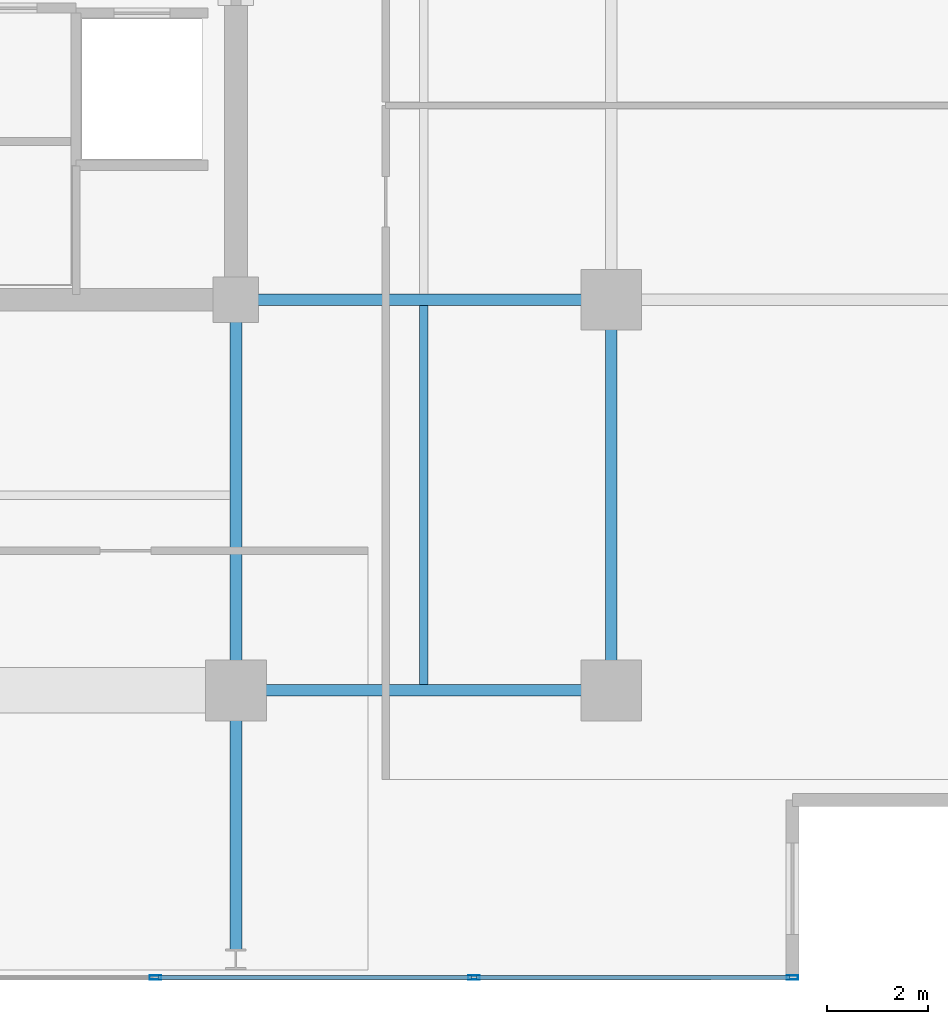
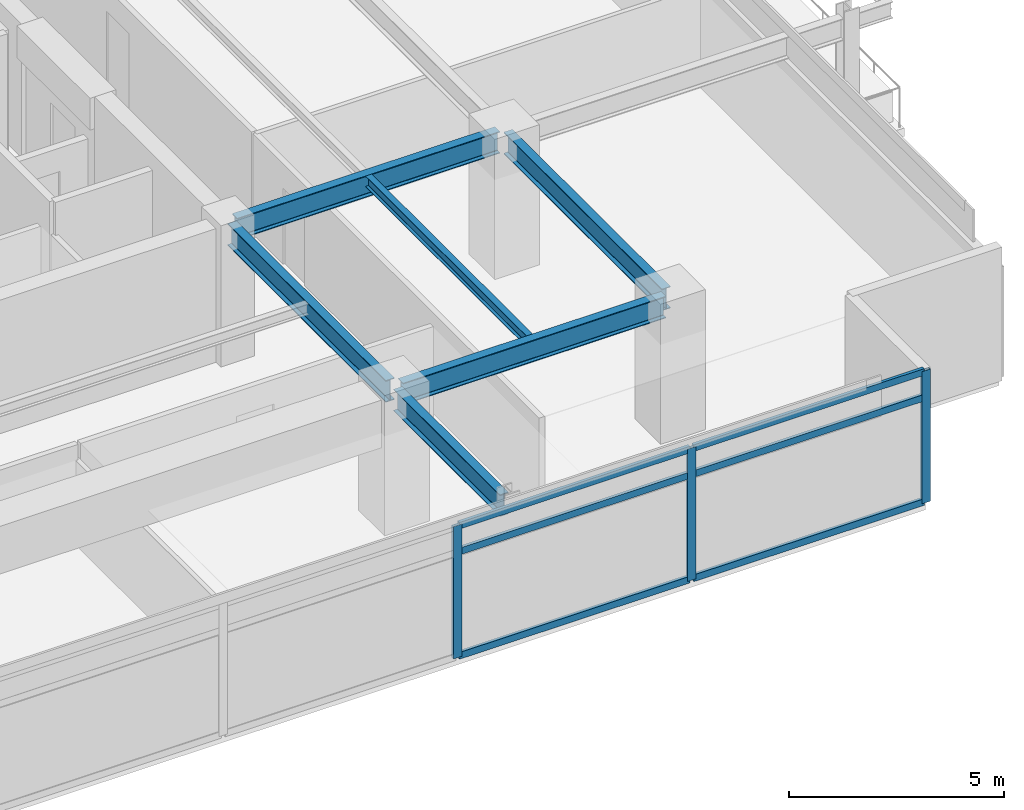
# One storey, part 6 of 21: 9 members, 6 beams, 1 element without a shape of its own.
"""IFC4 building model written with IfcOpenShell, lengths in metres."""

from ifc_helpers import new_model, si_unit, direction, frame, origin, origin_2d, place, context, subcontext, project, spatial, hollow_rectangle, i_section, extrude, material, material_profile, profile_set, type_object, element, aggregate, save


model = new_model("IFC4")

# Units and contexts
model_context = context("Model", 3, precision=1e-05, world=origin(), true_north=direction((0.0, 1.0)))
body_context = subcontext(model_context, "Body", "Model", "MODEL_VIEW")
ifc_project = project(units=[si_unit("LENGTHUNIT", "METRE"), si_unit("AREAUNIT", "SQUARE_METRE"), si_unit("VOLUMEUNIT", "CUBIC_METRE"), si_unit("PLANEANGLEUNIT", "RADIAN"), si_unit("MASSUNIT", "GRAM", prefix="KILO")], contexts=[model_context])

# Site, building, storey
site_placement = place(None, origin())
site = spatial("IfcSite", under=ifc_project, at=site_placement, CompositionType="ELEMENT")
building_placement = place(site_placement, origin())
building = spatial("IfcBuilding", under=site, at=building_placement, Name="Kovane Verandah Tower", CompositionType="ELEMENT")
storey_placement = place(building_placement, frame((0.0, 0.0, 275.199951171875)))
storey = spatial("IfcBuildingStorey", under=building, at=storey_placement, Name="L64", CompositionType="ELEMENT", Elevation=275.199951171875)

# Beams
ifc_material_1 = material(Name="Steel S355", Category="steel")
ifc_material_profile_1 = material_profile(ifc_material_1, i_section(OverallWidth=0.230224609375, OverallDepth=0.6171875, WebThickness=0.01318359375, FlangeThickness=0.022216796875, FilletRadius=0.0126953125, at=origin_2d()), Name="UB610x229x140")
ifc_profile_set_1 = profile_set([ifc_material_profile_1], Name="Steel S355")
beam_type_1 = type_object("IfcBeamType", Name="BM-UB610x140", PredefinedType="BEAM", material=ifc_profile_set_1)
beam_1_placement = place(storey_placement, frame((51.179931640625, 10.800048828125, 3.4765625), z_axis=(1.0, 0.0, 0.0), x_axis=(0.0, 1.0, 0.0)))
element("IfcBeam", 1, at=beam_1_placement, inside=storey, type_object=beam_type_1, Name="L64 Primary Tower Girder G-RS3", PredefinedType="BEAM", context=body_context, shape_type="SweptSolid", body=[
    extrude(i_section(OverallWidth=0.230224609375, OverallDepth=0.6171875, WebThickness=0.01318359375, FlangeThickness=0.022216796875, FilletRadius=0.0126953125, at=origin_2d()), origin(), (0.0, 0.0, 1.0), 7.0400390625),
])
beam_2_placement = place(storey_placement, frame((58.39990234375, 10.97998046875, 3.4765625), z_axis=(0.0, 1.0, 0.0), x_axis=(-1.0, 0.0, 0.0)))
element("IfcBeam", 2, at=beam_2_placement, inside=storey, type_object=beam_type_1, Name="L64 Primary Tower Girder G-RE1", PredefinedType="BEAM", context=body_context, shape_type="SweptSolid", body=[
    extrude(i_section(OverallWidth=0.230224609375, OverallDepth=0.6171875, WebThickness=0.01318359375, FlangeThickness=0.022216796875, FilletRadius=0.0126953125, at=origin_2d()), origin(), (0.0, 0.0, 1.0), 7.340087890625),
])
beam_3_placement = place(storey_placement, frame((51.179931640625, 18.5, 3.4765625), z_axis=(1.0, 0.0, 0.0), x_axis=(0.0, 1.0, 0.0)))
element("IfcBeam", 3, at=beam_3_placement, inside=storey, type_object=beam_type_1, Name="L64 Primary Tower Girder G-E1", PredefinedType="BEAM", context=body_context, shape_type="SweptSolid", body=[
    extrude(i_section(OverallWidth=0.230224609375, OverallDepth=0.6171875, WebThickness=0.01318359375, FlangeThickness=0.022216796875, FilletRadius=0.0126953125, at=origin_2d()), origin(), (0.0, 0.0, 1.0), 7.0400390625),
])
beam_4_placement = place(storey_placement, frame((51.0, 18.320068359375, 3.4765625), z_axis=(0.0, -1.0, 0.0), x_axis=(1.0, 0.0, 0.0)))
element("IfcBeam", 4, at=beam_4_placement, inside=storey, type_object=beam_type_1, Name="L64 Primary Tower Girder G-S2", PredefinedType="BEAM", context=body_context, shape_type="SweptSolid", body=[
    extrude(i_section(OverallWidth=0.230224609375, OverallDepth=0.6171875, WebThickness=0.01318359375, FlangeThickness=0.022216796875, FilletRadius=0.0126953125, at=origin_2d()), origin(), (0.0, 0.0, 1.0), 7.340087890625),
])
beam_5_placement = place(storey_placement, frame((51.0, 10.6201171875, 3.451416015625), z_axis=(0.0, -1.0, 0.0), x_axis=(1.0, 0.0, 0.0)))
element("IfcBeam", 5, at=beam_5_placement, inside=storey, type_object=beam_type_1, Name="L64 Primary Tower Girder G-VS2", PredefinedType="BEAM", context=body_context, shape_type="SweptSolid", body=[
    extrude(i_section(OverallWidth=0.230224609375, OverallDepth=0.6171875, WebThickness=0.01318359375, FlangeThickness=0.022216796875, FilletRadius=0.0126953125, at=origin_2d()), origin(), (0.0, 0.0, 1.0), 4.940185546875),
])

# Curtain wall, members
ifc_material_2 = material(Name="Champagne Anodised Aluminium Frame with Low-E Clear Laminated Glass", Category="aluminium")
curtain_wall_type = type_object("IfcCurtainWallType", Name="CW-SYS-05-HIGH", PredefinedType="NOTDEFINED", material=ifc_material_2)
curtain_wall_placement = place(storey_placement, origin())
curtain_wall = element("IfcCurtainWall", 6, at=curtain_wall_placement, inside=storey, type_object=curtain_wall_type, Name="L64 S Unitised Curtain Wall", PredefinedType="NOTDEFINED")
ifc_material_3 = material(Name="Champagne Anodised Aluminium 6063-T6", Category="aluminium")
ifc_material_profile_2 = material_profile(ifc_material_3, hollow_rectangle(XDim=0.0849609375, YDim=0.22998046875, WallThickness=0.00390625, at=origin_2d()), Name="AL85x230x4")
ifc_profile_set_2 = profile_set([ifc_material_profile_2], Name="Champagne Anodised Aluminium 6063-T6")
member_type_1 = type_object("IfcMemberType", Name="CW-MUL-85x230", PredefinedType="MULLION", material=ifc_profile_set_2)
member_1_placement = place(storey_placement, frame((49.415283203125, 5.139892578125, 0.02001953125), z_axis=(0.0, 0.0, 1.0), x_axis=(0.0, -1.0, 0.0)))
member_1 = element("IfcMember", 7, at=member_1_placement, type_object=member_type_1, Name="L64 S Unitised Curtain Wall Mullion 6", PredefinedType="MULLION", context=body_context, shape_type="SweptSolid", body=[
    extrude(hollow_rectangle(XDim=0.0849609375, YDim=0.22998046875, WallThickness=0.00390625, at=origin_2d()), origin(), (0.0, 0.0, 1.0), 3.7451171875),
])
member_2_placement = place(storey_placement, frame((55.6923828125, 5.139892578125, 0.02001953125), z_axis=(0.0, 0.0, 1.0), x_axis=(0.0, -1.0, 0.0)))
member_2 = element("IfcMember", 8, at=member_2_placement, type_object=member_type_1, Name="L64 S Unitised Curtain Wall Mullion 7", PredefinedType="MULLION", context=body_context, shape_type="SweptSolid", body=[
    extrude(hollow_rectangle(XDim=0.0849609375, YDim=0.22998046875, WallThickness=0.00390625, at=origin_2d()), origin(), (0.0, 0.0, 1.0), 3.7451171875),
])
member_3_placement = place(storey_placement, frame((61.96923828125, 5.139892578125, 0.02001953125), z_axis=(0.0, 0.0, 1.0), x_axis=(0.0, -1.0, 0.0)))
member_3 = element("IfcMember", 9, at=member_3_placement, type_object=member_type_1, Name="L64 S Unitised Curtain Wall Mullion 8", PredefinedType="MULLION", context=body_context, shape_type="SweptSolid", body=[
    extrude(hollow_rectangle(XDim=0.0849609375, YDim=0.22998046875, WallThickness=0.00390625, at=origin_2d()), origin(), (0.0, 0.0, 1.0), 3.7451171875),
])
ifc_material_profile_3 = material_profile(ifc_material_3, hollow_rectangle(XDim=0.0849609375, YDim=0.18994140625, WallThickness=0.00390625, at=origin_2d()), Name="AL85x190x4")
ifc_profile_set_3 = profile_set([ifc_material_profile_3], Name="Champagne Anodised Aluminium 6063-T6")
member_type_2 = type_object("IfcMemberType", Name="CW-TRN-85x190", PredefinedType="USERDEFINED", material=ifc_profile_set_3)
member_4_placement = place(storey_placement, frame((49.46533203125, 5.139892578125, 0.050048828125), z_axis=(1.0, 0.0, 0.0), x_axis=(0.0, 1.0, 0.0)))
member_4 = element("IfcMember", 10, at=member_4_placement, type_object=member_type_2, Name="L64 S Unitised Curtain Wall Transom TB Bay 6", ObjectType="TRANSOM", PredefinedType="USERDEFINED", context=body_context, shape_type="SweptSolid", body=[
    extrude(hollow_rectangle(XDim=0.0849609375, YDim=0.18994140625, WallThickness=0.00390625, at=origin_2d()), origin(), (0.0, 0.0, 1.0), 6.177001953125),
])
member_5_placement = place(storey_placement, frame((49.46533203125, 5.139892578125, 3.005126953125), z_axis=(1.0, 0.0, 0.0), x_axis=(0.0, 1.0, 0.0)))
member_5 = element("IfcMember", 11, at=member_5_placement, type_object=member_type_2, Name="L64 S Unitised Curtain Wall Transom TM Bay 6", ObjectType="TRANSOM", PredefinedType="USERDEFINED", context=body_context, shape_type="SweptSolid", body=[
    extrude(hollow_rectangle(XDim=0.0849609375, YDim=0.18994140625, WallThickness=0.00390625, at=origin_2d()), origin(), (0.0, 0.0, 1.0), 6.177001953125),
])
member_6_placement = place(storey_placement, frame((49.46533203125, 5.139892578125, 3.735107421875), z_axis=(1.0, 0.0, 0.0), x_axis=(0.0, 1.0, 0.0)))
member_6 = element("IfcMember", 12, at=member_6_placement, type_object=member_type_2, Name="L64 S Unitised Curtain Wall Transom TT Bay 6", ObjectType="TRANSOM", PredefinedType="USERDEFINED", context=body_context, shape_type="SweptSolid", body=[
    extrude(hollow_rectangle(XDim=0.0849609375, YDim=0.18994140625, WallThickness=0.00390625, at=origin_2d()), origin(), (0.0, 0.0, 1.0), 6.177001953125),
])
member_7_placement = place(storey_placement, frame((55.742431640625, 5.139892578125, 0.050048828125), z_axis=(1.0, 0.0, 0.0), x_axis=(0.0, 1.0, 0.0)))
member_7 = element("IfcMember", 13, at=member_7_placement, type_object=member_type_2, Name="L64 S Unitised Curtain Wall Transom TB Bay 7", ObjectType="TRANSOM", PredefinedType="USERDEFINED", context=body_context, shape_type="SweptSolid", body=[
    extrude(hollow_rectangle(XDim=0.0849609375, YDim=0.18994140625, WallThickness=0.00390625, at=origin_2d()), origin(), (0.0, 0.0, 1.0), 6.1767578125),
])
member_8_placement = place(storey_placement, frame((55.742431640625, 5.139892578125, 3.005126953125), z_axis=(1.0, 0.0, 0.0), x_axis=(0.0, 1.0, 0.0)))
member_8 = element("IfcMember", 14, at=member_8_placement, type_object=member_type_2, Name="L64 S Unitised Curtain Wall Transom TM Bay 7", ObjectType="TRANSOM", PredefinedType="USERDEFINED", context=body_context, shape_type="SweptSolid", body=[
    extrude(hollow_rectangle(XDim=0.0849609375, YDim=0.18994140625, WallThickness=0.00390625, at=origin_2d()), origin(), (0.0, 0.0, 1.0), 6.1767578125),
])
member_9_placement = place(storey_placement, frame((55.742431640625, 5.139892578125, 3.735107421875), z_axis=(1.0, 0.0, 0.0), x_axis=(0.0, 1.0, 0.0)))
member_9 = element("IfcMember", 15, at=member_9_placement, type_object=member_type_2, Name="L64 S Unitised Curtain Wall Transom TT Bay 7", ObjectType="TRANSOM", PredefinedType="USERDEFINED", context=body_context, shape_type="SweptSolid", body=[
    extrude(hollow_rectangle(XDim=0.0849609375, YDim=0.18994140625, WallThickness=0.00390625, at=origin_2d()), origin(), (0.0, 0.0, 1.0), 6.1767578125),
])
aggregate(curtain_wall, [member_1, member_2, member_3, member_4, member_5, member_6, member_7, member_8, member_9])

# Beam
ifc_material_profile_4 = material_profile(ifc_material_1, i_section(OverallWidth=0.1669921875, OverallDepth=0.310302734375, WebThickness=0.0078125, FlangeThickness=0.013671875, FilletRadius=0.0087890625, at=origin_2d()), Name="UB305x165x54")
ifc_profile_set_4 = profile_set([ifc_material_profile_4], Name="Steel S355")
beam_type_2 = type_object("IfcBeamType", Name="JST-UB305x54", PredefinedType="JOIST", material=ifc_profile_set_4)
beam_6_placement = place(storey_placement, frame((54.699951171875, 10.9130859375, 3.6298828125), z_axis=(0.0, 1.0, 0.0), x_axis=(-1.0, 0.0, 0.0)))
element("IfcBeam", 16, at=beam_6_placement, inside=storey, type_object=beam_type_2, Name="L64 Secondary Composite Joist J-SE1", PredefinedType="JOIST", context=body_context, shape_type="SweptSolid", body=[
    extrude(i_section(OverallWidth=0.1669921875, OverallDepth=0.310302734375, WebThickness=0.0078125, FlangeThickness=0.013671875, FilletRadius=0.0087890625, at=origin_2d()), origin(), (0.0, 0.0, 1.0), 7.473876953125),
])

save(model, "model.ifc")
